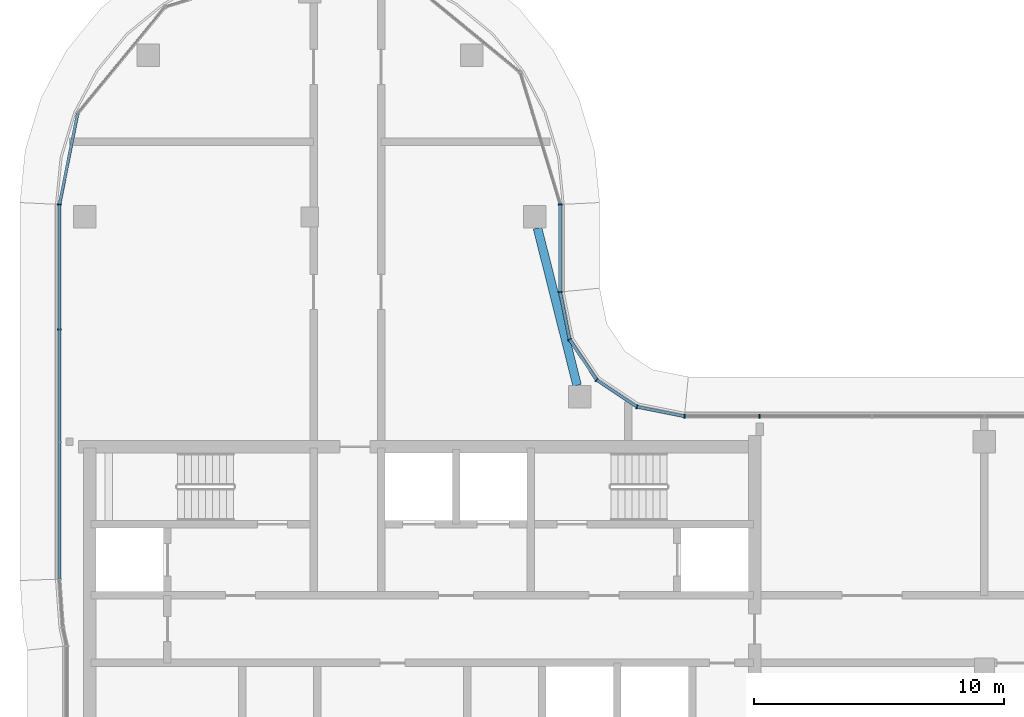
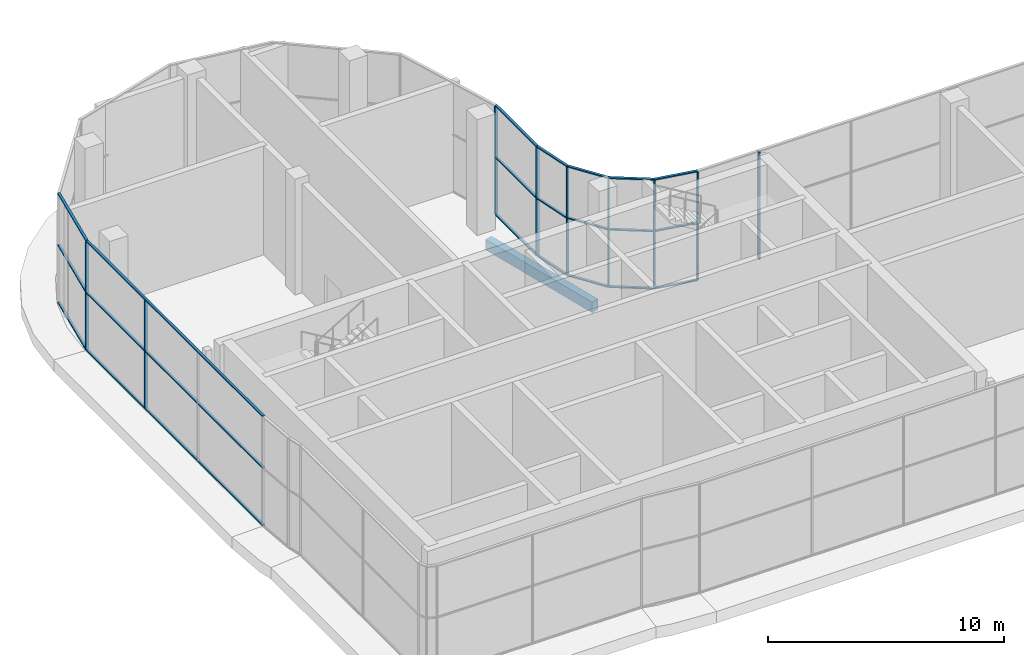
# One storey, part 3 of 23: 30 members, 1 beam, 5 elements without a shape of their own.
"""IFC4 building model written with IfcOpenShell, lengths in metres."""

import ifcopenshell
import ifcopenshell.guid

model = None  # the IFC model being written
_history = None  # IfcOwnerHistory: only IFC2X3 demands one
_inside = {}  # id of a spatial element -> (the spatial element, [elements in it])
_under = {}  # id of a project, library or spatial element -> (it, [spatial elements below it])
_declared = {}  # id of a project -> (the project, [libraries it declares])
_typed = {}  # id of a type object -> (the type object, [elements of that type])
_made_of = {}  # id of a material, layer set ... -> (it, [elements and type objects made of it])


def new_model(schema):
    """Start an empty IFC model of exactly this schema.

    Asked for "IFC4X3", IfcOpenShell would pick the latest addendum, in which some entities
    have other attributes; the version numbers below select the first issue.
    IFC2X3 requires an IfcOwnerHistory on every rooted entity: one is made here for all.
    """
    global model, _history
    if schema == "IFC4X3":
        model = ifcopenshell.file(schema_version=(4, 3, 0, 0))
    else:
        model = ifcopenshell.file(schema=schema)
    _inside.clear()
    _under.clear()
    _declared.clear()
    _typed.clear()
    _made_of.clear()
    _history = None
    if model.schema == "IFC2X3":
        org = make("IfcOrganization", Name="unknown")
        user = make(
            "IfcPersonAndOrganization",
            ThePerson=make("IfcPerson", FamilyName="unknown"),
            TheOrganization=org,
        )
        app = make(
            "IfcApplication",
            ApplicationDeveloper=org,
            Version="unknown",
            ApplicationFullName="unknown",
            ApplicationIdentifier="unknown",
        )
        _history = make(
            "IfcOwnerHistory",
            OwningUser=user,
            OwningApplication=app,
            ChangeAction="ADDED",
            CreationDate=0,
        )
    return model


def make(cls, **values):
    """One entity of the class cls with the attributes given. An attribute that is None is left unset."""
    return model.create_entity(
        cls, **{name: value for name, value in values.items() if value is not None}
    )


def rooted(cls, **values):
    """An entity with a GlobalId (a new one), such as an element, a storey or a relation."""
    return make(cls, GlobalId=ifcopenshell.guid.new(), OwnerHistory=_history, **values)


def si_unit(unit_type, name, prefix=None):
    """IfcSIUnit, for example si_unit("LENGTHUNIT", "METRE", prefix="MILLI")."""
    return make("IfcSIUnit", UnitType=unit_type, Prefix=prefix, Name=name)


def assignment(units):
    """IfcUnitAssignment: the units of a project."""
    return None if units is None else make("IfcUnitAssignment", Units=units)


def point(xyz):
    """IfcCartesianPoint."""
    return None if xyz is None else make("IfcCartesianPoint", Coordinates=xyz)


def direction(xyz):
    """IfcDirection."""
    return None if xyz is None else make("IfcDirection", DirectionRatios=xyz)


def frame(location, z_axis=None, x_axis=None):
    """IfcAxis2Placement3D, a coordinate frame: its origin and axes. An axis left out is left unset."""
    return make(
        "IfcAxis2Placement3D",
        Location=point(location),
        Axis=direction(z_axis),
        RefDirection=direction(x_axis),
    )


def frame_2d(location, x_axis=None):
    """IfcAxis2Placement2D, a coordinate frame in the plane: its origin and x axis."""
    return make(
        "IfcAxis2Placement2D", Location=point(location), RefDirection=direction(x_axis)
    )


def origin():
    """The frame at (0, 0, 0) with its axes left unset."""
    return frame((0.0, 0.0, 0.0))


def origin_2d():
    """The frame at (0, 0) in the plane with its x axis left unset."""
    return frame_2d((0.0, 0.0))


def place(relative_to, where):
    """IfcLocalPlacement: puts the frame where relative to a parent placement (None: the world)."""
    return make(
        "IfcLocalPlacement", PlacementRelTo=relative_to, RelativePlacement=where
    )


def context(
    kind, dimensions, precision=None, world=None, true_north=None, identifier=None
):
    """IfcGeometricRepresentationContext, for example the 3D "Model" context."""
    return make(
        "IfcGeometricRepresentationContext",
        ContextIdentifier=identifier,
        ContextType=kind,
        CoordinateSpaceDimension=dimensions,
        Precision=precision,
        WorldCoordinateSystem=world,
        TrueNorth=true_north,
    )


def subcontext(parent, identifier, kind, view, scale=None):
    """IfcGeometricRepresentationSubContext, for example "Body" below "Model"."""
    return make(
        "IfcGeometricRepresentationSubContext",
        ContextIdentifier=identifier,
        ContextType=kind,
        ParentContext=parent,
        TargetScale=scale,
        TargetView=view,
    )


def project(units=None, contexts=None):
    """IfcProject with its units and contexts."""
    return rooted(
        "IfcProject",
        Name="project",
        RepresentationContexts=contexts,
        UnitsInContext=assignment(units),
    )


def spatial(cls, under=None, at=None, **own):
    """A site, building, storey or space (cls), placed at a placement, below another one or the project."""
    s = rooted(cls, ObjectPlacement=at, **own)
    if under is not None:
        _under.setdefault(under.id(), (under, []))[1].append(s)
    return s


def profile(cls, at=None, kind="AREA", **sizes):
    """A parametric profile (cls). Its sizes go by their IFC names, for example OverallWidth=200.0."""
    return make(cls, ProfileType=kind, Position=at, **sizes)


def rectangle(**sizes):
    """IfcRectangleProfileDef."""
    return profile("IfcRectangleProfileDef", **sizes)


def extrude(swept, where, along, depth):
    """IfcExtrudedAreaSolid: the profile swept, set in the frame where, extruded along a direction by depth."""
    return make(
        "IfcExtrudedAreaSolid",
        SweptArea=swept,
        Position=where,
        ExtrudedDirection=direction(along),
        Depth=depth,
    )


def shape(context_of_items, identifier, shape_type, items):
    """IfcShapeRepresentation: the items that make up one representation, for example the "Body"."""
    return make(
        "IfcShapeRepresentation",
        ContextOfItems=context_of_items,
        RepresentationIdentifier=identifier,
        RepresentationType=shape_type,
        Items=items,
    )


def material(Name=None, Category=None):
    """IfcMaterial."""
    return make("IfcMaterial", Name=Name, Category=Category)


def material_profile(
    of_material, cross_section, Name=None, Category=None, Priority=None
):
    """IfcMaterialProfile: a cross section and its material."""
    return make(
        "IfcMaterialProfile",
        Name=Name,
        Material=of_material,
        Profile=cross_section,
        Priority=Priority,
        Category=Category,
    )


def profile_set(profiles, Name=None, composite=None):
    """IfcMaterialProfileSet."""
    return make(
        "IfcMaterialProfileSet",
        Name=Name,
        MaterialProfiles=profiles,
        CompositeProfile=composite,
    )


def made_of(thing, what):
    """Note that an element or type object is made of a material, layer set ...; save() writes the relation."""
    if what is not None:
        _made_of.setdefault(what.id(), (what, []))[1].append(thing)
    return thing


def type_object(cls, material=None, **own):
    """A type object (cls), such as IfcWallType, which elements share."""
    return made_of(rooted(cls, **own), material)


def element(
    cls,
    number,
    at=None,
    inside=None,
    cuts=None,
    type_object=None,
    material=None,
    context=None,
    identifier="Body",
    shape_type=None,
    held_by="IfcProductDefinitionShape",
    body=None,
    shapes=None,
    **own,
):
    """One element of the class cls, such as IfcWall. Its Tag is "e" and its number.

    at: its placement. inside: the storey or other place that contains it. cuts: it is an
    opening in that element (IfcRelVoidsElement). A single representation is given by context,
    identifier, shape_type and body (its items); several are given by shapes. held_by: the class
    of the entity that holds the representations. save() writes the other relations.
    """
    e = rooted(cls, Tag="e%d" % number, ObjectPlacement=at, **own)
    if body is not None:
        shapes = [shape(context, identifier, shape_type, body)]
    if shapes is not None:
        e.Representation = make(held_by, Representations=shapes)
    if inside is not None:
        _inside.setdefault(inside.id(), (inside, []))[1].append(e)
    if cuts is not None:
        rooted(
            "IfcRelVoidsElement", RelatingBuildingElement=cuts, RelatedOpeningElement=e
        )
    if type_object is not None:
        _typed.setdefault(type_object.id(), (type_object, []))[1].append(e)
    return made_of(e, material)


def aggregate(whole, parts):
    """IfcRelAggregates: a whole, such as a stair, and the parts it consists of."""
    return rooted("IfcRelAggregates", RelatingObject=whole, RelatedObjects=parts)


def save(model, path):
    """Write the relations noted so far, then the file.

    IfcRelAggregates (storeys below a building ...), IfcRelContainedInSpatialStructure (elements
    in a storey), IfcRelDefinesByType, IfcRelAssociatesMaterial and IfcRelDeclares: one each for
    every whole, place, type object, material and project.
    """
    for whole, parts in _under.values():
        aggregate(whole, parts)
    for where, things in _inside.values():
        rooted(
            "IfcRelContainedInSpatialStructure",
            RelatedElements=things,
            RelatingStructure=where,
        )
    for kind, things in _typed.values():
        rooted("IfcRelDefinesByType", RelatedObjects=things, RelatingType=kind)
    for what, things in _made_of.values():
        rooted("IfcRelAssociatesMaterial", RelatedObjects=things, RelatingMaterial=what)
    for by, libraries in _declared.values():
        rooted("IfcRelDeclares", RelatingContext=by, RelatedDefinitions=libraries)
    model.write(path)


model = new_model("IFC4")

# Units and contexts
model_context = context("Model", 3, precision=1e-05, world=origin(), true_north=direction((0.0, 1.0)))
body_context = subcontext(model_context, "Body", "Model", "MODEL_VIEW")
ifc_project = project(units=[si_unit("LENGTHUNIT", "METRE"), si_unit("AREAUNIT", "SQUARE_METRE"), si_unit("VOLUMEUNIT", "CUBIC_METRE"), si_unit("PLANEANGLEUNIT", "RADIAN"), si_unit("MASSUNIT", "GRAM", prefix="KILO")], contexts=[model_context])

# Site, building, storey
site_placement = place(None, origin())
site = spatial("IfcSite", under=ifc_project, at=site_placement, CompositionType="ELEMENT")
building_placement = place(site_placement, origin())
building = spatial("IfcBuilding", under=site, at=building_placement, Name="Ogive Portal Towers", CompositionType="ELEMENT")
storey_placement = place(building_placement, frame((0.0, 0.0, 260.89990234375)))
storey = spatial("IfcBuildingStorey", under=building, at=storey_placement, Name="L64", CompositionType="ELEMENT", Elevation=260.89990234375)

# Curtain wall, members
ifc_material_1 = material(Name="Glass, clear low-iron insulated glazing", Category="glass")
curtain_wall_type = type_object("IfcCurtainWallType", Name="CW OBSERVATION WALL", PredefinedType="NOTDEFINED", material=ifc_material_1)
curtain_wall_1_placement = place(storey_placement, origin())
curtain_wall_1 = element("IfcCurtainWall", 1, at=curtain_wall_1_placement, inside=storey, type_object=curtain_wall_type, Name="A:L64:f11:cw0", PredefinedType="NOTDEFINED")
ifc_material_2 = material(Name="Aluminium 6063 anodised", Category="aluminium")
ifc_material_profile_1 = material_profile(ifc_material_2, rectangle(XDim=0.159912109375, YDim=0.06005859375, at=origin_2d()), Name="AL 60x160")
ifc_profile_set_1 = profile_set([ifc_material_profile_1], Name="Aluminium 6063 anodised")
member_type_1 = type_object("IfcMemberType", Name="CW MULLION 60x160", PredefinedType="MULLION", material=ifc_profile_set_1)
member_1_placement = place(storey_placement, frame((58.5, 40.52001953125, 0.06005859375), z_axis=(0.0, 0.0, 1.0), x_axis=(0.0, -1.0, 0.0)))
member_1 = element("IfcMember", 2, at=member_1_placement, type_object=member_type_1, Name="mullion", PredefinedType="MULLION", context=body_context, shape_type="SweptSolid", body=[
    extrude(rectangle(XDim=0.159912109375, YDim=0.06005859375, at=origin_2d()), origin(), (0.0, 0.0, 1.0), 5.580078125),
])
member_2_placement = place(storey_placement, frame((55.4921875, 40.52001953125, 0.06005859375), z_axis=(0.0, 0.0, 1.0), x_axis=(0.0, -1.0, 0.0)))
member_2 = element("IfcMember", 3, at=member_2_placement, type_object=member_type_1, Name="mullion", PredefinedType="MULLION", context=body_context, shape_type="SweptSolid", body=[
    extrude(rectangle(XDim=0.159912109375, YDim=0.06005859375, at=origin_2d()), origin(), (0.0, 0.0, 1.0), 5.580078125),
])
aggregate(curtain_wall_1, [member_1, member_2])

curtain_wall_2_placement = place(storey_placement, origin())
curtain_wall_2 = element("IfcCurtainWall", 4, at=curtain_wall_2_placement, inside=storey, type_object=curtain_wall_type, Name="A:L64:f16:cw0", PredefinedType="NOTDEFINED")
member_3_placement = place(storey_placement, frame((50.52001953125, 45.4921875, 0.06005859375), z_axis=(0.0, 0.0, 1.0), x_axis=(-1.0, 0.0, 0.0)))
member_3 = element("IfcMember", 5, at=member_3_placement, type_object=member_type_1, Name="mullion", PredefinedType="MULLION", context=body_context, shape_type="SweptSolid", body=[
    extrude(rectangle(XDim=0.159912109375, YDim=0.06005859375, at=origin_2d()), origin(), (0.0, 0.0, 1.0), 5.580078125),
])
member_4_placement = place(storey_placement, frame((50.52001953125, 48.988037109375, 0.06005859375), z_axis=(0.0, 0.0, 1.0), x_axis=(-1.0, 0.0, 0.0)))
member_4 = element("IfcMember", 6, at=member_4_placement, type_object=member_type_1, Name="mullion", PredefinedType="MULLION", context=body_context, shape_type="SweptSolid", body=[
    extrude(rectangle(XDim=0.159912109375, YDim=0.06005859375, at=origin_2d()), origin(), (0.0, 0.0, 1.0), 5.580078125),
])

curtain_wall_3_placement = place(storey_placement, origin())
curtain_wall_3 = element("IfcCurtainWall", 7, at=curtain_wall_3_placement, inside=storey, type_object=curtain_wall_type, Name="A:L64:f23:cw0", PredefinedType="NOTDEFINED")
member_5_placement = place(storey_placement, frame((30.47998046875, 48.9921875, 0.06005859375), z_axis=(0.0, 0.0, 1.0), x_axis=(1.0, 0.0, 0.0)))
member_5 = element("IfcMember", 8, at=member_5_placement, type_object=member_type_1, Name="mullion", PredefinedType="MULLION", context=body_context, shape_type="SweptSolid", body=[
    extrude(rectangle(XDim=0.159912109375, YDim=0.06005859375, at=origin_2d()), origin(), (0.0, 0.0, 1.0), 5.580078125),
])
member_6_placement = place(storey_placement, frame((30.47998046875, 44.0, 0.06005859375), z_axis=(0.0, 0.0, 1.0), x_axis=(1.0, 0.0, 0.0)))
member_6 = element("IfcMember", 9, at=member_6_placement, type_object=member_type_1, Name="mullion", PredefinedType="MULLION", context=body_context, shape_type="SweptSolid", body=[
    extrude(rectangle(XDim=0.159912109375, YDim=0.06005859375, at=origin_2d()), origin(), (0.0, 0.0, 1.0), 5.580078125),
])

curtain_wall_4_placement = place(storey_placement, origin())
curtain_wall_4 = element("IfcCurtainWall", 10, at=curtain_wall_4_placement, inside=storey, type_object=curtain_wall_type, Name="A:L64:f12:cwa", PredefinedType="NOTDEFINED")
member_7_placement = place(storey_placement, frame((53.59375, 40.897705078125, 0.06005859375), z_axis=(0.0, 0.0, 1.0), x_axis=(-0.195090322016, -0.980785280403, 0.0)))
member_7 = element("IfcMember", 11, at=member_7_placement, type_object=member_type_1, Name="mullion", PredefinedType="MULLION", context=body_context, shape_type="SweptSolid", body=[
    extrude(rectangle(XDim=0.159912109375, YDim=0.06005859375, at=origin_2d()), origin(), (0.0, 0.0, 1.0), 5.580078125),
])
member_8_placement = place(storey_placement, frame((51.9775390625, 41.9775390625, 0.06005859375), z_axis=(0.0, 0.0, 1.0), x_axis=(-0.55557023302, -0.831469612303, 0.0)))
member_8 = element("IfcMember", 12, at=member_8_placement, type_object=member_type_1, Name="mullion", PredefinedType="MULLION", context=body_context, shape_type="SweptSolid", body=[
    extrude(rectangle(XDim=0.159912109375, YDim=0.06005859375, at=origin_2d()), origin(), (0.0, 0.0, 1.0), 5.580078125),
])
member_9_placement = place(storey_placement, frame((50.897705078125, 43.59375, 0.06005859375), z_axis=(0.0, 0.0, 1.0), x_axis=(-0.831469612303, -0.55557023302, 0.0)))
member_9 = element("IfcMember", 13, at=member_9_placement, type_object=member_type_1, Name="mullion", PredefinedType="MULLION", context=body_context, shape_type="SweptSolid", body=[
    extrude(rectangle(XDim=0.159912109375, YDim=0.06005859375, at=origin_2d()), origin(), (0.0, 0.0, 1.0), 5.580078125),
])

# Member
ifc_material_profile_2 = material_profile(ifc_material_2, rectangle(XDim=0.1201171875, YDim=0.06005859375, at=origin_2d()), Name="AL 120x60")
ifc_profile_set_2 = profile_set([ifc_material_profile_2], Name="Aluminium 6063 anodised")
member_type_2 = type_object("IfcMemberType", Name="CW TRANSOM 60x120", PredefinedType="USERDEFINED", material=ifc_profile_set_2)
member_10_placement = place(storey_placement, frame((50.52001953125, 45.4921875, 0.030029296875), z_axis=(0.0, 1.0, 0.0), x_axis=(-1.0, 0.0, 0.0)))
member_10 = element("IfcMember", 14, at=member_10_placement, type_object=member_type_2, Name="transom", ObjectType="TRANSOM", PredefinedType="USERDEFINED", context=body_context, shape_type="SweptSolid", body=[
    extrude(rectangle(XDim=0.1201171875, YDim=0.06005859375, at=origin_2d()), origin(), (0.0, 0.0, 1.0), 3.495849609375),
])

member_11_placement = place(storey_placement, frame((50.52001953125, 45.4921875, 3.0), z_axis=(0.0, 1.0, 0.0), x_axis=(-1.0, 0.0, 0.0)))
member_11 = element("IfcMember", 15, at=member_11_placement, type_object=member_type_2, Name="transom", ObjectType="TRANSOM", PredefinedType="USERDEFINED", context=body_context, shape_type="SweptSolid", body=[
    extrude(rectangle(XDim=0.1201171875, YDim=0.06005859375, at=origin_2d()), origin(), (0.0, 0.0, 1.0), 3.495849609375),
])

member_12_placement = place(storey_placement, frame((50.52001953125, 45.4921875, 5.670166015625), z_axis=(0.0, 1.0, 0.0), x_axis=(-1.0, 0.0, 0.0)))
member_12 = element("IfcMember", 16, at=member_12_placement, type_object=member_type_2, Name="transom", ObjectType="TRANSOM", PredefinedType="USERDEFINED", context=body_context, shape_type="SweptSolid", body=[
    extrude(rectangle(XDim=0.1201171875, YDim=0.06005859375, at=origin_2d()), origin(), (0.0, 0.0, 1.0), 3.495849609375),
])

aggregate(curtain_wall_2, [member_10, member_11, member_12, member_3, member_4])

member_13_placement = place(storey_placement, frame((30.47998046875, 48.9921875, 0.030029296875), z_axis=(0.0, -1.0, 0.0), x_axis=(1.0, 0.0, 0.0)))
member_13 = element("IfcMember", 17, at=member_13_placement, type_object=member_type_2, Name="transom", ObjectType="TRANSOM", PredefinedType="USERDEFINED", context=body_context, shape_type="SweptSolid", body=[
    extrude(rectangle(XDim=0.1201171875, YDim=0.06005859375, at=origin_2d()), origin(), (0.0, 0.0, 1.0), 14.9892578125),
])

member_14_placement = place(storey_placement, frame((30.47998046875, 48.9921875, 3.0), z_axis=(0.0, -1.0, 0.0), x_axis=(1.0, 0.0, 0.0)))
member_14 = element("IfcMember", 18, at=member_14_placement, type_object=member_type_2, Name="transom", ObjectType="TRANSOM", PredefinedType="USERDEFINED", context=body_context, shape_type="SweptSolid", body=[
    extrude(rectangle(XDim=0.1201171875, YDim=0.06005859375, at=origin_2d()), origin(), (0.0, 0.0, 1.0), 14.9892578125),
])

member_15_placement = place(storey_placement, frame((30.47998046875, 48.9921875, 5.670166015625), z_axis=(0.0, -1.0, 0.0), x_axis=(1.0, 0.0, 0.0)))
member_15 = element("IfcMember", 19, at=member_15_placement, type_object=member_type_2, Name="transom", ObjectType="TRANSOM", PredefinedType="USERDEFINED", context=body_context, shape_type="SweptSolid", body=[
    extrude(rectangle(XDim=0.1201171875, YDim=0.06005859375, at=origin_2d()), origin(), (0.0, 0.0, 1.0), 14.9892578125),
])

aggregate(curtain_wall_3, [member_13, member_14, member_15, member_5, member_6])

member_16_placement = place(storey_placement, frame((55.4921875, 40.52001953125, 0.030029296875), z_axis=(-0.980779067127, 0.195121555664, 0.0), x_axis=(-0.195121555664, -0.980779067127, 0.0)))
member_16 = element("IfcMember", 20, at=member_16_placement, type_object=member_type_2, Name="transom", ObjectType="TRANSOM", PredefinedType="USERDEFINED", context=body_context, shape_type="SweptSolid", body=[
    extrude(rectangle(XDim=0.1201171875, YDim=0.06005859375, at=origin_2d()), origin(), (0.0, 0.0, 1.0), 1.935546875),
])

member_17_placement = place(storey_placement, frame((55.4921875, 40.52001953125, 3.0), z_axis=(-0.980779067127, 0.195121555664, 0.0), x_axis=(-0.195121555664, -0.980779067127, 0.0)))
member_17 = element("IfcMember", 21, at=member_17_placement, type_object=member_type_2, Name="transom", ObjectType="TRANSOM", PredefinedType="USERDEFINED", context=body_context, shape_type="SweptSolid", body=[
    extrude(rectangle(XDim=0.1201171875, YDim=0.06005859375, at=origin_2d()), origin(), (0.0, 0.0, 1.0), 1.935546875),
])

member_18_placement = place(storey_placement, frame((55.4921875, 40.52001953125, 5.670166015625), z_axis=(-0.980779067127, 0.195121555664, 0.0), x_axis=(-0.195121555664, -0.980779067127, 0.0)))
member_18 = element("IfcMember", 22, at=member_18_placement, type_object=member_type_2, Name="transom", ObjectType="TRANSOM", PredefinedType="USERDEFINED", context=body_context, shape_type="SweptSolid", body=[
    extrude(rectangle(XDim=0.1201171875, YDim=0.06005859375, at=origin_2d()), origin(), (0.0, 0.0, 1.0), 1.935546875),
])

member_19_placement = place(storey_placement, frame((53.59375, 40.897705078125, 0.030029296875), z_axis=(-0.83148948873, 0.555540484691, 0.0), x_axis=(-0.555540484691, -0.83148948873, 0.0)))
member_19 = element("IfcMember", 23, at=member_19_placement, type_object=member_type_2, Name="transom", ObjectType="TRANSOM", PredefinedType="USERDEFINED", context=body_context, shape_type="SweptSolid", body=[
    extrude(rectangle(XDim=0.1201171875, YDim=0.06005859375, at=origin_2d()), origin(), (0.0, 0.0, 1.0), 1.94384765625),
])

member_20_placement = place(storey_placement, frame((53.59375, 40.897705078125, 3.0), z_axis=(-0.83148948873, 0.555540484691, 0.0), x_axis=(-0.555540484691, -0.83148948873, 0.0)))
member_20 = element("IfcMember", 24, at=member_20_placement, type_object=member_type_2, Name="transom", ObjectType="TRANSOM", PredefinedType="USERDEFINED", context=body_context, shape_type="SweptSolid", body=[
    extrude(rectangle(XDim=0.1201171875, YDim=0.06005859375, at=origin_2d()), origin(), (0.0, 0.0, 1.0), 1.94384765625),
])

member_21_placement = place(storey_placement, frame((53.59375, 40.897705078125, 5.670166015625), z_axis=(-0.83148948873, 0.555540484691, 0.0), x_axis=(-0.555540484691, -0.83148948873, 0.0)))
member_21 = element("IfcMember", 25, at=member_21_placement, type_object=member_type_2, Name="transom", ObjectType="TRANSOM", PredefinedType="USERDEFINED", context=body_context, shape_type="SweptSolid", body=[
    extrude(rectangle(XDim=0.1201171875, YDim=0.06005859375, at=origin_2d()), origin(), (0.0, 0.0, 1.0), 1.94384765625),
])

member_22_placement = place(storey_placement, frame((51.9775390625, 41.9775390625, 0.030029296875), z_axis=(-0.555540484691, 0.83148948873, 0.0), x_axis=(-0.83148948873, -0.555540484691, 0.0)))
member_22 = element("IfcMember", 26, at=member_22_placement, type_object=member_type_2, Name="transom", ObjectType="TRANSOM", PredefinedType="USERDEFINED", context=body_context, shape_type="SweptSolid", body=[
    extrude(rectangle(XDim=0.1201171875, YDim=0.06005859375, at=origin_2d()), origin(), (0.0, 0.0, 1.0), 1.94384765625),
])

member_23_placement = place(storey_placement, frame((51.9775390625, 41.9775390625, 3.0), z_axis=(-0.555540484691, 0.83148948873, 0.0), x_axis=(-0.83148948873, -0.555540484691, 0.0)))
member_23 = element("IfcMember", 27, at=member_23_placement, type_object=member_type_2, Name="transom", ObjectType="TRANSOM", PredefinedType="USERDEFINED", context=body_context, shape_type="SweptSolid", body=[
    extrude(rectangle(XDim=0.1201171875, YDim=0.06005859375, at=origin_2d()), origin(), (0.0, 0.0, 1.0), 1.94384765625),
])

member_24_placement = place(storey_placement, frame((51.9775390625, 41.9775390625, 5.670166015625), z_axis=(-0.555540484691, 0.83148948873, 0.0), x_axis=(-0.83148948873, -0.555540484691, 0.0)))
member_24 = element("IfcMember", 28, at=member_24_placement, type_object=member_type_2, Name="transom", ObjectType="TRANSOM", PredefinedType="USERDEFINED", context=body_context, shape_type="SweptSolid", body=[
    extrude(rectangle(XDim=0.1201171875, YDim=0.06005859375, at=origin_2d()), origin(), (0.0, 0.0, 1.0), 1.94384765625),
])

member_25_placement = place(storey_placement, frame((50.897705078125, 43.59375, 0.030029296875), z_axis=(-0.195121555664, 0.980779067127, 0.0), x_axis=(-0.980779067127, -0.195121555664, 0.0)))
member_25 = element("IfcMember", 29, at=member_25_placement, type_object=member_type_2, Name="transom", ObjectType="TRANSOM", PredefinedType="USERDEFINED", context=body_context, shape_type="SweptSolid", body=[
    extrude(rectangle(XDim=0.1201171875, YDim=0.06005859375, at=origin_2d()), origin(), (0.0, 0.0, 1.0), 1.935546875),
])

member_26_placement = place(storey_placement, frame((50.897705078125, 43.59375, 3.0), z_axis=(-0.195121555664, 0.980779067127, 0.0), x_axis=(-0.980779067127, -0.195121555664, 0.0)))
member_26 = element("IfcMember", 30, at=member_26_placement, type_object=member_type_2, Name="transom", ObjectType="TRANSOM", PredefinedType="USERDEFINED", context=body_context, shape_type="SweptSolid", body=[
    extrude(rectangle(XDim=0.1201171875, YDim=0.06005859375, at=origin_2d()), origin(), (0.0, 0.0, 1.0), 1.935546875),
])

member_27_placement = place(storey_placement, frame((50.897705078125, 43.59375, 5.670166015625), z_axis=(-0.195121555664, 0.980779067127, 0.0), x_axis=(-0.980779067127, -0.195121555664, 0.0)))
member_27 = element("IfcMember", 31, at=member_27_placement, type_object=member_type_2, Name="transom", ObjectType="TRANSOM", PredefinedType="USERDEFINED", context=body_context, shape_type="SweptSolid", body=[
    extrude(rectangle(XDim=0.1201171875, YDim=0.06005859375, at=origin_2d()), origin(), (0.0, 0.0, 1.0), 1.935546875),
])

aggregate(curtain_wall_4, [member_16, member_17, member_18, member_19, member_20, member_21, member_22, member_23, member_24, member_25, member_26, member_27, member_7, member_8, member_9])

# Curtain wall, members
curtain_wall_5_placement = place(storey_placement, origin())
curtain_wall_5 = element("IfcCurtainWall", 32, at=curtain_wall_5_placement, inside=storey, type_object=curtain_wall_type, Name="A:L64:f17:cwa", PredefinedType="NOTDEFINED")
member_28_placement = place(storey_placement, frame((31.205322265625, 52.638427734375, 0.030029296875), z_axis=(-0.195105722562, -0.980782216918, 0.0), x_axis=(0.980782216918, -0.195105722562, 0.0)))
member_28 = element("IfcMember", 33, at=member_28_placement, type_object=member_type_2, Name="transom", ObjectType="TRANSOM", PredefinedType="USERDEFINED", context=body_context, shape_type="SweptSolid", body=[
    extrude(rectangle(XDim=0.1201171875, YDim=0.06005859375, at=origin_2d()), origin(), (0.0, 0.0, 1.0), 3.7177734375),
])
member_29_placement = place(storey_placement, frame((31.205322265625, 52.638427734375, 3.0), z_axis=(-0.195105722562, -0.980782216918, 0.0), x_axis=(0.980782216918, -0.195105722562, 0.0)))
member_29 = element("IfcMember", 34, at=member_29_placement, type_object=member_type_2, Name="transom", ObjectType="TRANSOM", PredefinedType="USERDEFINED", context=body_context, shape_type="SweptSolid", body=[
    extrude(rectangle(XDim=0.1201171875, YDim=0.06005859375, at=origin_2d()), origin(), (0.0, 0.0, 1.0), 3.7177734375),
])
member_30_placement = place(storey_placement, frame((31.205322265625, 52.638427734375, 5.670166015625), z_axis=(-0.195105722562, -0.980782216918, 0.0), x_axis=(0.980782216918, -0.195105722562, 0.0)))
member_30 = element("IfcMember", 35, at=member_30_placement, type_object=member_type_2, Name="transom", ObjectType="TRANSOM", PredefinedType="USERDEFINED", context=body_context, shape_type="SweptSolid", body=[
    extrude(rectangle(XDim=0.1201171875, YDim=0.06005859375, at=origin_2d()), origin(), (0.0, 0.0, 1.0), 3.7177734375),
])
aggregate(curtain_wall_5, [member_28, member_29, member_30])

# Beam
ifc_material_3 = material(Name="Concrete C50/60", Category="concrete")
ifc_material_profile_3 = material_profile(ifc_material_3, rectangle(XDim=0.35009765625, YDim=0.550048828125, at=origin_2d()), Name="RC 350x550")
ifc_profile_set_3 = profile_set([ifc_material_profile_3], Name="Concrete C50/60")
beam_type = type_object("IfcBeamType", Name="SPANDREL BEAM RC 350x550", PredefinedType="BEAM", material=ifc_profile_set_3)
beam_placement = place(storey_placement, frame((49.61328125, 48.050048828125, -0.574951171875), z_axis=(0.244129438789, -0.969742655098, 0.0), x_axis=(0.969742655098, 0.244129438789, 0.0)))
element("IfcBeam", 36, at=beam_placement, inside=storey, type_object=beam_type, Name="Spandrel beam L64", PredefinedType="BEAM", context=body_context, shape_type="SweptSolid", body=[
    extrude(rectangle(XDim=0.35009765625, YDim=0.550048828125, at=origin_2d()), origin(), (0.0, 0.0, 1.0), 6.486328125),
])

save(model, "model.ifc")
